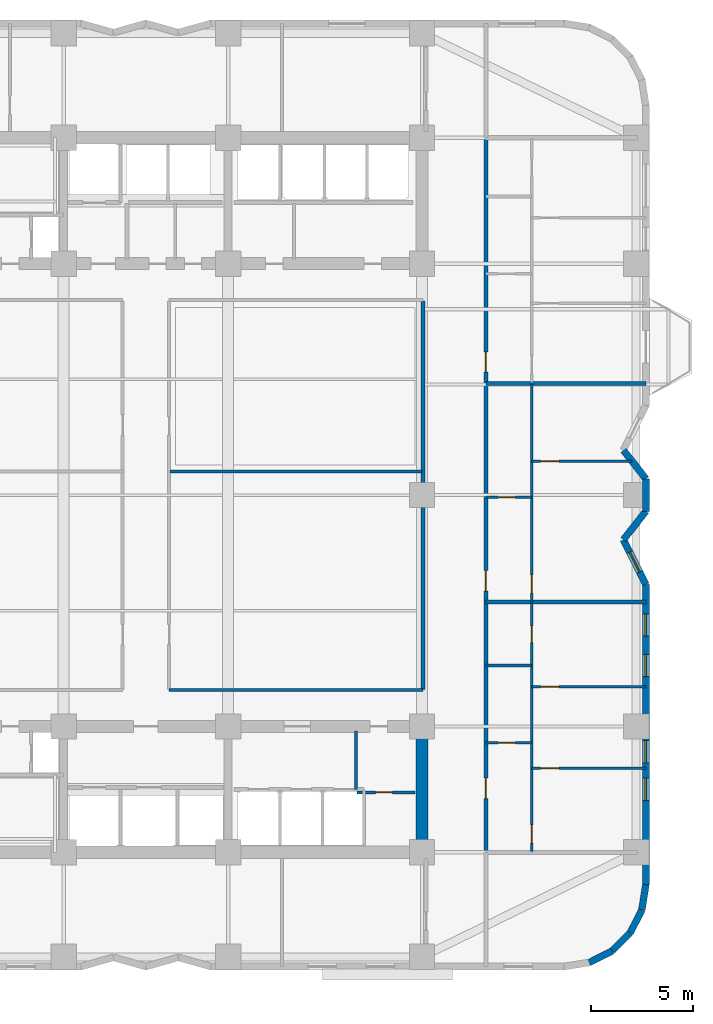
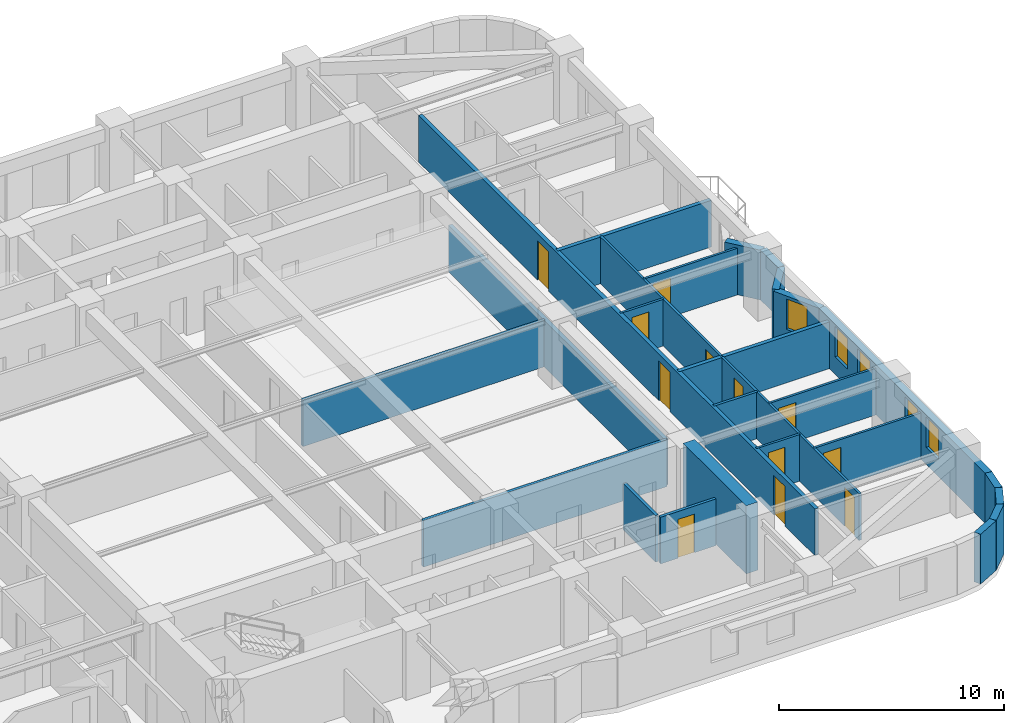
# One storey, part 5 of 10: 26 walls, 12 doors, 5 windows, 17 openings.
"""IFC4 building model written with IfcOpenShell, lengths in metres."""

from ifc_helpers import new_model, si_unit, direction, frame, frame_2d, origin, place, context, subcontext, project, spatial, rectangle, extrude, material, layer, layer_set, type_object, element, fill, save


model = new_model("IFC4")

# Units and contexts
model_context = context("Model", 3, precision=1e-05, world=origin(), true_north=direction((0.0, 1.0)))
body_context = subcontext(model_context, "Body", "Model", "MODEL_VIEW")
ifc_project = project(units=[si_unit("LENGTHUNIT", "METRE"), si_unit("AREAUNIT", "SQUARE_METRE"), si_unit("VOLUMEUNIT", "CUBIC_METRE"), si_unit("PLANEANGLEUNIT", "RADIAN"), si_unit("MASSUNIT", "GRAM", prefix="KILO")], contexts=[model_context])

# Site, building, storey
site_placement = place(None, origin())
site = spatial("IfcSite", under=ifc_project, at=site_placement, CompositionType="ELEMENT")
building_placement = place(site_placement, origin())
building = spatial("IfcBuilding", under=site, at=building_placement, Name="Svetorya Sky Lyceum", CompositionType="ELEMENT")
storey_placement = place(building_placement, frame((0.0, 0.0, 69.5)))
storey = spatial("IfcBuildingStorey", under=building, at=storey_placement, Name="L17", CompositionType="ELEMENT", Elevation=69.5)

# Walls
ifc_material_1 = material(Name="Concrete C60/75", Category="concrete")
ifc_layer_1 = layer(ifc_material_1, 0.60009765625)
ifc_layer_set_1 = layer_set([ifc_layer_1], Name="Concrete C60/75")
wall_type_1 = type_object("IfcWallType", Name="WL-CORE-600", PredefinedType="SHEAR", material=ifc_layer_set_1)
wall_1_placement = place(storey_placement, frame((52.800048828125, 10.89990234375, 0.0), z_axis=(0.0, 0.0, 1.0), x_axis=(0.0, 1.0, 0.0)))
element("IfcWall", 1, at=wall_1_placement, inside=storey, type_object=wall_type_1, Name="L17 SC East Core Shear Wall", PredefinedType="SHEAR", context=body_context, shape_type="SweptSolid", body=[
    extrude(rectangle(XDim=5.60009765625, YDim=0.60009765625, at=frame_2d((2.800048828125, 0.0))), origin(), (0.0, 0.0, 1.0), 3.699951171875),
])
ifc_material_2 = material(Name="Putilovo limestone rainscreen on autoclaved cellular masonry", Category="masonry")
ifc_layer_2 = layer(ifc_material_2, 0.340087890625)
ifc_layer_set_2 = layer_set([ifc_layer_2], Name="Putilovo limestone rainscreen on autoclaved cellular masonry")
wall_type_2 = type_object("IfcWallType", Name="WL-EXT-340", PredefinedType="SOLIDWALL", material=ifc_layer_set_2)
for number, where, z_axis, x_axis, name in (
    (2, (61.04541015625, 5.167236328125, 0.0), (0.0, 0.0, 1.0), (0.890953769915, 0.454094020963, 0.0), "L17 Limestone Exterior Wall 13M"),
    (3, (62.168701171875, 5.73974609375, 0.0), (0.0, 0.0, 1.0), (0.707203598708, 0.707009950407, 0.0), "L17 Limestone Exterior Wall 14M"),
):
    element("IfcWall", number, at=place(storey_placement, frame(where, z_axis=z_axis, x_axis=x_axis)), inside=storey, type_object=wall_type_2, Name=name, PredefinedType="SOLIDWALL", context=body_context, shape_type="SweptSolid", body=[
        extrude(rectangle(XDim=1.2607421875, YDim=0.340087890625, at=frame_2d((0.63037109375, 0.0))), origin(), (0.0, 0.0, 1.0), 2.699951171875),
    ])
for number, where, z_axis, x_axis, name in (
    (4, (63.060302734375, 6.631103515625, 0.0), (0.0, 0.0, 1.0), (0.454015689056, 0.890993689142, 0.0), "L17 Limestone Exterior Wall 15M"),
    (5, (63.6328125, 7.754638671875, 0.0), (0.0, 0.0, 1.0), (0.15644975923, 0.987685918112, 0.0), "L17 Limestone Exterior Wall 16M"),
):
    element("IfcWall", number, at=place(storey_placement, frame(where, z_axis=z_axis, x_axis=x_axis)), inside=storey, type_object=wall_type_2, Name=name, PredefinedType="SOLIDWALL", context=body_context, shape_type="SweptSolid", body=[
        extrude(rectangle(XDim=1.260986328125, YDim=0.340087890625, at=frame_2d((0.63037109375, 0.0))), origin(), (0.0, 0.0, 1.0), 2.699951171875),
    ])

# Wall, openings, windows
wall_2_placement = place(storey_placement, frame((63.830078125, 9.0, 0.0), z_axis=(0.0, 0.0, 1.0), x_axis=(0.0, 1.0, 0.0)))
wall_2 = element("IfcWall", 6, at=wall_2_placement, inside=storey, type_object=wall_type_2, Name="L17 Limestone Exterior Wall 17M", PredefinedType="SOLIDWALL", context=body_context, shape_type="SweptSolid", body=[
    extrude(rectangle(XDim=14.800048828125, YDim=0.340087890625, at=frame_2d((7.39990234375, 0.0))), origin(), (0.0, 0.0, 1.0), 2.699951171875),
])
opening_1_placement = place(wall_2_placement, frame((4.14990234375, 0.0, 0.929931640625)))
opening_1 = element("IfcOpeningElement", 7, at=opening_1_placement, cuts=wall_2, Name="Opening W-R3", PredefinedType="OPENING", context=body_context, shape_type="SweptSolid", body=[
    extrude(rectangle(XDim=1.10009765625, YDim=1.64990234375, at=frame_2d((0.550048828125, 0.824951171875))), frame((0.0, 0.179931640625, 0.0), z_axis=(0.0, -1.0, 0.0), x_axis=(1.0, 0.0, 0.0)), (0.0, 0.0, 1.0), 0.360107421875),
])
opening_2_placement = place(wall_2_placement, frame((6.0, 0.0, 0.889892578125)))
opening_2 = element("IfcOpeningElement", 8, at=opening_2_placement, cuts=wall_2, Name="Opening W-R3", PredefinedType="OPENING", context=body_context, shape_type="SweptSolid", body=[
    extrude(rectangle(XDim=1.10009765625, YDim=1.64990234375, at=frame_2d((0.550048828125, 0.824951171875))), frame((0.0, 0.179931640625, 0.0), z_axis=(0.0, -1.0, 0.0), x_axis=(1.0, 0.0, 0.0)), (0.0, 0.0, 1.0), 0.360107421875),
])
opening_3_placement = place(wall_2_placement, frame((10.25, 0.0, 0.929931640625)))
opening_3 = element("IfcOpeningElement", 9, at=opening_3_placement, cuts=wall_2, Name="Opening W-R3", PredefinedType="OPENING", context=body_context, shape_type="SweptSolid", body=[
    extrude(rectangle(XDim=1.10009765625, YDim=1.64990234375, at=frame_2d((0.550048828125, 0.824951171875))), frame((0.0, 0.179931640625, 0.0), z_axis=(0.0, -1.0, 0.0), x_axis=(1.0, 0.0, 0.0)), (0.0, 0.0, 1.0), 0.360107421875),
])
opening_4_placement = place(wall_2_placement, frame((12.25, 0.0, 0.929931640625)))
opening_4 = element("IfcOpeningElement", 10, at=opening_4_placement, cuts=wall_2, Name="Opening W-R3", PredefinedType="OPENING", context=body_context, shape_type="SweptSolid", body=[
    extrude(rectangle(XDim=1.10009765625, YDim=1.64990234375, at=frame_2d((0.550048828125, 0.824951171875))), frame((0.0, 0.179931640625, 0.0), z_axis=(0.0, -1.0, 0.0), x_axis=(1.0, 0.0, 0.0)), (0.0, 0.0, 1.0), 0.360107421875),
])
ifc_material_3 = material(Name="Thermally broken aluminium frame with triple low-E glazing", Category="aluminium")
window_type = type_object("IfcWindowType", Name="WN-RES-110", PartitioningType="SINGLE_PANEL", PredefinedType="WINDOW", material=ifc_material_3)
window_1_placement = place(opening_1_placement, origin())
window_1 = element("IfcWindow", 11, at=window_1_placement, inside=storey, type_object=window_type, Name="L17 Facade Window W-R3.17M.1", OverallHeight=1.64990234375, OverallWidth=1.10009765625, PartitioningType="SINGLE_PANEL", PredefinedType="WINDOW", context=body_context, shape_type="SweptSolid", body=[
    extrude(rectangle(XDim=1.10009765625, YDim=1.64990234375, at=frame_2d((0.550048828125, 0.824951171875))), frame((0.0, 0.030029296875, 0.0), z_axis=(0.0, -1.0, 0.0), x_axis=(1.0, 0.0, 0.0)), (0.0, 0.0, 1.0), 0.06005859375),
])
fill(opening_1, window_1)
window_2_placement = place(opening_2_placement, origin())
window_2 = element("IfcWindow", 12, at=window_2_placement, inside=storey, type_object=window_type, Name="L17 Facade Window W-R3.17M.4", OverallHeight=1.64990234375, OverallWidth=1.10009765625, PartitioningType="SINGLE_PANEL", PredefinedType="WINDOW", context=body_context, shape_type="SweptSolid", body=[
    extrude(rectangle(XDim=1.10009765625, YDim=1.64990234375, at=frame_2d((0.550048828125, 0.824951171875))), frame((0.0, 0.030029296875, 0.0), z_axis=(0.0, -1.0, 0.0), x_axis=(1.0, 0.0, 0.0)), (0.0, 0.0, 1.0), 0.06005859375),
])
fill(opening_2, window_2)
window_3_placement = place(opening_3_placement, origin())
window_3 = element("IfcWindow", 13, at=window_3_placement, inside=storey, type_object=window_type, Name="L17 Facade Window W-R3.17M.2", OverallHeight=1.64990234375, OverallWidth=1.10009765625, PartitioningType="SINGLE_PANEL", PredefinedType="WINDOW", context=body_context, shape_type="SweptSolid", body=[
    extrude(rectangle(XDim=1.10009765625, YDim=1.64990234375, at=frame_2d((0.550048828125, 0.824951171875))), frame((0.0, 0.030029296875, 0.0), z_axis=(0.0, -1.0, 0.0), x_axis=(1.0, 0.0, 0.0)), (0.0, 0.0, 1.0), 0.06005859375),
])
fill(opening_3, window_3)
window_4_placement = place(opening_4_placement, origin())
window_4 = element("IfcWindow", 14, at=window_4_placement, inside=storey, type_object=window_type, Name="L17 Facade Window W-R3.17M.3", OverallHeight=1.64990234375, OverallWidth=1.10009765625, PartitioningType="SINGLE_PANEL", PredefinedType="WINDOW", context=body_context, shape_type="SweptSolid", body=[
    extrude(rectangle(XDim=1.10009765625, YDim=1.64990234375, at=frame_2d((0.550048828125, 0.824951171875))), frame((0.0, 0.030029296875, 0.0), z_axis=(0.0, -1.0, 0.0), x_axis=(1.0, 0.0, 0.0)), (0.0, 0.0, 1.0), 0.06005859375),
])
fill(opening_4, window_4)

# Wall, opening, window
wall_3_placement = place(storey_placement, frame((63.830078125, 23.800048828125, 0.0), z_axis=(0.0, 0.0, 1.0), x_axis=(-0.447253297971, 0.894407338663, 0.0)))
wall_3 = element("IfcWall", 15, at=wall_3_placement, inside=storey, type_object=wall_type_2, Name="L17 Limestone Exterior Wall 18M", PredefinedType="SOLIDWALL", context=body_context, shape_type="SweptSolid", body=[
    extrude(rectangle(XDim=2.459716796875, YDim=0.340087890625, at=frame_2d((1.22998046875, 0.0))), origin(), (0.0, 0.0, 1.0), 2.699951171875),
])
opening_5_placement = place(wall_3_placement, frame((0.6796875, 0.0, 0.889892578125)))
opening_5 = element("IfcOpeningElement", 16, at=opening_5_placement, cuts=wall_3, Name="Opening W-R3", PredefinedType="OPENING", context=body_context, shape_type="SweptSolid", body=[
    extrude(rectangle(XDim=1.10009765625, YDim=1.64990234375, at=frame_2d((0.550048828125, 0.824951171875))), frame((0.0, 0.179931640625, 0.0), z_axis=(0.0, -1.0, 0.0), x_axis=(1.0, 0.0, 0.0)), (0.0, 0.0, 1.0), 0.360107421875),
])
window_5_placement = place(opening_5_placement, origin())
window_5 = element("IfcWindow", 17, at=window_5_placement, inside=storey, type_object=window_type, Name="L17 Facade Window W-R3.18M.1", OverallHeight=1.64990234375, OverallWidth=1.10009765625, PartitioningType="SINGLE_PANEL", PredefinedType="WINDOW", context=body_context, shape_type="SweptSolid", body=[
    extrude(rectangle(XDim=1.10009765625, YDim=1.64990234375, at=frame_2d((0.550048828125, 0.824951171875))), frame((0.0, 0.030029296875, 0.0), z_axis=(0.0, -1.0, 0.0), x_axis=(1.0, 0.0, 0.0)), (0.0, 0.0, 1.0), 0.06005859375),
])
fill(opening_5, window_5)

# Walls
wall_4_placement = place(storey_placement, frame((62.72998046875, 26.0, 0.0), z_axis=(0.0, 0.0, 1.0), x_axis=(0.617882109729, 0.786270753925, 0.0)))
element("IfcWall", 18, at=wall_4_placement, inside=storey, type_object=wall_type_2, Name="L17 Limestone Exterior Wall 19M", PredefinedType="SOLIDWALL", context=body_context, shape_type="SweptSolid", body=[
    extrude(rectangle(XDim=1.780517578125, YDim=0.340087890625, at=frame_2d((0.89013671875, 0.0))), origin(), (0.0, 0.0, 1.0), 2.699951171875),
])
wall_5_placement = place(storey_placement, frame((63.830078125, 27.39990234375, 0.0), z_axis=(0.0, 0.0, 1.0), x_axis=(0.0, 1.0, 0.0)))
element("IfcWall", 19, at=wall_5_placement, inside=storey, type_object=wall_type_2, Name="L17 Limestone Exterior Wall 20M", PredefinedType="SOLIDWALL", context=body_context, shape_type="SweptSolid", body=[
    extrude(rectangle(XDim=1.60009765625, YDim=0.340087890625, at=frame_2d((0.800048828125, 0.0))), origin(), (0.0, 0.0, 1.0), 2.699951171875),
])
wall_6_placement = place(storey_placement, frame((63.830078125, 29.0, 0.0), z_axis=(0.0, 0.0, 1.0), x_axis=(-0.617882109729, 0.786270753925, 0.0)))
element("IfcWall", 20, at=wall_6_placement, inside=storey, type_object=wall_type_2, Name="L17 Limestone Exterior Wall 21M", PredefinedType="SOLIDWALL", context=body_context, shape_type="SweptSolid", body=[
    extrude(rectangle(XDim=1.780517578125, YDim=0.340087890625, at=frame_2d((0.89013671875, 0.0))), origin(), (0.0, 0.0, 1.0), 2.699951171875),
])

# Wall, opening, door
ifc_material_4 = material(Name="Twin-stud galvanized framing with double fireboard", Category="gypsum")
ifc_layer_3 = layer(ifc_material_4, 0.1201171875)
ifc_layer_set_3 = layer_set([ifc_layer_3], Name="Twin-stud galvanized framing with double fireboard")
wall_type_3 = type_object("IfcWallType", Name="WL-PART-120", PredefinedType="PARTITIONING", material=ifc_layer_set_3)
wall_7_placement = place(storey_placement, frame((55.949951171875, 16.0, 0.0), z_axis=(0.0, 0.0, 1.0), x_axis=(1.0, 0.0, 0.0)))
wall_7 = element("IfcWall", 21, at=wall_7_placement, inside=storey, type_object=wall_type_3, Name="L17 Interior Partition E1-WH1", PredefinedType="PARTITIONING", context=body_context, shape_type="SweptSolid", body=[
    extrude(rectangle(XDim=2.25, YDim=0.1201171875, at=frame_2d((1.125, 0.0))), origin(), (0.0, 0.0, 1.0), 2.530029296875),
])
opening_6_placement = place(wall_7_placement, frame((0.60009765625, 0.0, 0.0)))
opening_6 = element("IfcOpeningElement", 22, at=opening_6_placement, cuts=wall_7, Name="Opening D-BT1", PredefinedType="OPENING", context=body_context, shape_type="SweptSolid", body=[
    extrude(rectangle(XDim=0.85009765625, YDim=2.10009765625, at=frame_2d((0.425048828125, 1.050048828125))), frame((0.0, 0.070068359375, 0.0), z_axis=(0.0, -1.0, 0.0), x_axis=(1.0, 0.0, 0.0)), (0.0, 0.0, 1.0), 0.14013671875),
])
ifc_material_5 = material(Name="Moisture-resistant laminate bathroom door")
door_type_1 = type_object("IfcDoorType", Name="DR-WET-850", OperationType="SINGLE_SWING_LEFT", PredefinedType="DOOR", material=ifc_material_5)
door_1_placement = place(opening_6_placement, origin())
door_1 = element("IfcDoor", 23, at=door_1_placement, inside=storey, type_object=door_type_1, Name="Apartment E1 Bathroom Door", OperationType="SINGLE_SWING_RIGHT", OverallHeight=2.10009765625, OverallWidth=0.85009765625, PredefinedType="DOOR", context=body_context, shape_type="SweptSolid", body=[
    extrude(rectangle(XDim=0.85009765625, YDim=2.10009765625, at=frame_2d((0.425048828125, 1.050048828125))), frame((0.0, 0.02490234375, 0.0), z_axis=(0.0, -1.0, 0.0), x_axis=(1.0, 0.0, 0.0)), (0.0, 0.0, 1.0), 0.050048828125),
])
fill(opening_6, door_1)

wall_8_placement = place(storey_placement, frame((58.199951171875, 14.75, 0.0), z_axis=(0.0, 0.0, 1.0), x_axis=(1.0, 0.0, 0.0)))
wall_8 = element("IfcWall", 24, at=wall_8_placement, inside=storey, type_object=wall_type_3, Name="L17 Interior Partition E1-WL1", PredefinedType="PARTITIONING", context=body_context, shape_type="SweptSolid", body=[
    extrude(rectangle(XDim=5.630126953125, YDim=0.1201171875, at=frame_2d((2.81494140625, 0.0))), origin(), (0.0, 0.0, 1.0), 2.530029296875),
])
opening_7_placement = place(wall_8_placement, frame((0.449951171875, 0.0, 0.0)))
opening_7 = element("IfcOpeningElement", 25, at=opening_7_placement, cuts=wall_8, Name="Opening D-RM1", PredefinedType="OPENING", context=body_context, shape_type="SweptSolid", body=[
    extrude(rectangle(XDim=0.89990234375, YDim=2.10009765625, at=frame_2d((0.449951171875, 1.050048828125))), frame((0.0, 0.070068359375, 0.0), z_axis=(0.0, -1.0, 0.0), x_axis=(1.0, 0.0, 0.0)), (0.0, 0.0, 1.0), 0.14013671875),
])
ifc_material_6 = material(Name="Lacquered birch veneer internal door")
door_type_2 = type_object("IfcDoorType", Name="DR-INT-900", OperationType="SINGLE_SWING_LEFT", PredefinedType="DOOR", material=ifc_material_6)
door_2_placement = place(opening_7_placement, origin())
door_2 = element("IfcDoor", 26, at=door_2_placement, inside=storey, type_object=door_type_2, Name="Apartment E1 Master Bedroom Door", OperationType="SINGLE_SWING_RIGHT", OverallHeight=2.10009765625, OverallWidth=0.89990234375, PredefinedType="DOOR", context=body_context, shape_type="SweptSolid", body=[
    extrude(rectangle(XDim=0.89990234375, YDim=2.10009765625, at=frame_2d((0.449951171875, 1.050048828125))), frame((0.0, 0.02490234375, 0.0), z_axis=(0.0, -1.0, 0.0), x_axis=(1.0, 0.0, 0.0)), (0.0, 0.0, 1.0), 0.050048828125),
])
fill(opening_7, door_2)

wall_9_placement = place(storey_placement, frame((58.199951171875, 18.75, 0.0), z_axis=(0.0, 0.0, 1.0), x_axis=(1.0, 0.0, 0.0)))
wall_9 = element("IfcWall", 27, at=wall_9_placement, inside=storey, type_object=wall_type_3, Name="L17 Interior Partition E1-WL2", PredefinedType="PARTITIONING", context=body_context, shape_type="SweptSolid", body=[
    extrude(rectangle(XDim=5.630126953125, YDim=0.1201171875, at=frame_2d((2.81494140625, 0.0))), origin(), (0.0, 0.0, 1.0), 2.530029296875),
])
opening_8_placement = place(wall_9_placement, frame((0.449951171875, 0.0, 0.0)))
opening_8 = element("IfcOpeningElement", 28, at=opening_8_placement, cuts=wall_9, Name="Opening D-RM1", PredefinedType="OPENING", context=body_context, shape_type="SweptSolid", body=[
    extrude(rectangle(XDim=0.89990234375, YDim=2.10009765625, at=frame_2d((0.449951171875, 1.050048828125))), frame((0.0, 0.070068359375, 0.0), z_axis=(0.0, -1.0, 0.0), x_axis=(1.0, 0.0, 0.0)), (0.0, 0.0, 1.0), 0.14013671875),
])
door_3_placement = place(opening_8_placement, origin())
door_3 = element("IfcDoor", 29, at=door_3_placement, inside=storey, type_object=door_type_2, Name="Apartment E1 Bedroom 2 Door", OperationType="SINGLE_SWING_LEFT", OverallHeight=2.10009765625, OverallWidth=0.89990234375, PredefinedType="DOOR", context=body_context, shape_type="SweptSolid", body=[
    extrude(rectangle(XDim=0.89990234375, YDim=2.10009765625, at=frame_2d((0.449951171875, 1.050048828125))), frame((0.0, 0.02490234375, 0.0), z_axis=(0.0, -1.0, 0.0), x_axis=(1.0, 0.0, 0.0)), (0.0, 0.0, 1.0), 0.050048828125),
])
fill(opening_8, door_3)

# Wall, openings, doors
wall_10_placement = place(storey_placement, frame((58.199951171875, 10.639892578125, 0.0), z_axis=(0.0, 0.0, 1.0), x_axis=(0.0, 1.0, 0.0)))
wall_10 = element("IfcWall", 30, at=wall_10_placement, inside=storey, type_object=wall_type_3, Name="L17 Interior Partition E1-WV", PredefinedType="PARTITIONING", context=body_context, shape_type="SweptSolid", body=[
    extrude(rectangle(XDim=12.239990234375, YDim=0.1201171875, at=frame_2d((6.1201171875, 0.0))), origin(), (0.0, 0.0, 1.0), 2.530029296875),
])
opening_9_placement = place(wall_10_placement, frame((0.409912109375, 0.0, 0.0)))
opening_9 = element("IfcOpeningElement", 31, at=opening_9_placement, cuts=wall_10, Name="Opening D-RM1", PredefinedType="OPENING", context=body_context, shape_type="SweptSolid", body=[
    extrude(rectangle(XDim=0.89990234375, YDim=2.10009765625, at=frame_2d((0.449951171875, 1.050048828125))), frame((0.0, 0.070068359375, 0.0), z_axis=(0.0, -1.0, 0.0), x_axis=(1.0, 0.0, 0.0)), (0.0, 0.0, 1.0), 0.14013671875),
])
opening_10_placement = place(wall_10_placement, frame((10.294921875, 0.0, 0.0)))
opening_10 = element("IfcOpeningElement", 32, at=opening_10_placement, cuts=wall_10, Name="Opening D-BT2", PredefinedType="OPENING", context=body_context, shape_type="SweptSolid", body=[
    extrude(rectangle(XDim=0.820068359375, YDim=2.080078125, at=frame_2d((0.41015625, 1.0400390625))), frame((0.0, 0.070068359375, 0.0), z_axis=(0.0, -1.0, 0.0), x_axis=(1.0, 0.0, 0.0)), (0.0, 0.0, 1.0), 0.14013671875),
])
door_4_placement = place(opening_9_placement, origin())
door_4 = element("IfcDoor", 33, at=door_4_placement, inside=storey, type_object=door_type_2, Name="Apartment E1 Living Door", OperationType="SINGLE_SWING_LEFT", OverallHeight=2.10009765625, OverallWidth=0.89990234375, PredefinedType="DOOR", context=body_context, shape_type="SweptSolid", body=[
    extrude(rectangle(XDim=0.89990234375, YDim=2.10009765625, at=frame_2d((0.449951171875, 1.050048828125))), frame((0.0, 0.02490234375, 0.0), z_axis=(0.0, -1.0, 0.0), x_axis=(1.0, 0.0, 0.0)), (0.0, 0.0, 1.0), 0.050048828125),
])
fill(opening_9, door_4)
ifc_material_7 = material(Name="Compact moisture-resistant laminate closet door")
door_type_3 = type_object("IfcDoorType", Name="DR-WET-820", OperationType="SINGLE_SWING_LEFT", PredefinedType="DOOR", material=ifc_material_7)
door_5_placement = place(opening_10_placement, origin())
door_5 = element("IfcDoor", 34, at=door_5_placement, inside=storey, type_object=door_type_3, Name="Apartment E1 Study Door", OperationType="SINGLE_SWING_RIGHT", OverallHeight=2.080078125, OverallWidth=0.820068359375, PredefinedType="DOOR", context=body_context, shape_type="SweptSolid", body=[
    extrude(rectangle(XDim=0.820068359375, YDim=2.080078125, at=frame_2d((0.41015625, 1.0400390625))), frame((0.0, 0.02490234375, 0.0), z_axis=(0.0, -1.0, 0.0), x_axis=(1.0, 0.0, 0.0)), (0.0, 0.0, 1.0), 0.050048828125),
])
fill(opening_10, door_5)

# Wall, opening, door
wall_11_placement = place(storey_placement, frame((55.949951171875, 28.090087890625, 0.0), z_axis=(0.0, 0.0, 1.0), x_axis=(1.0, 0.0, 0.0)))
wall_11 = element("IfcWall", 35, at=wall_11_placement, inside=storey, type_object=wall_type_3, Name="L17 Interior Partition E2-WH1", PredefinedType="PARTITIONING", context=body_context, shape_type="SweptSolid", body=[
    extrude(rectangle(XDim=2.25, YDim=0.1201171875, at=frame_2d((1.125, 0.0))), origin(), (0.0, 0.0, 1.0), 2.530029296875),
])
opening_11_placement = place(wall_11_placement, frame((0.60009765625, 0.0, 0.0)))
opening_11 = element("IfcOpeningElement", 36, at=opening_11_placement, cuts=wall_11, Name="Opening D-BT1", PredefinedType="OPENING", context=body_context, shape_type="SweptSolid", body=[
    extrude(rectangle(XDim=0.85009765625, YDim=2.10009765625, at=frame_2d((0.425048828125, 1.050048828125))), frame((0.0, 0.070068359375, 0.0), z_axis=(0.0, -1.0, 0.0), x_axis=(1.0, 0.0, 0.0)), (0.0, 0.0, 1.0), 0.14013671875),
])
door_6_placement = place(opening_11_placement, origin())
door_6 = element("IfcDoor", 37, at=door_6_placement, inside=storey, type_object=door_type_1, Name="Apartment E2 Bathroom Door", OperationType="SINGLE_SWING_LEFT", OverallHeight=2.10009765625, OverallWidth=0.85009765625, PredefinedType="DOOR", context=body_context, shape_type="SweptSolid", body=[
    extrude(rectangle(XDim=0.85009765625, YDim=2.10009765625, at=frame_2d((0.425048828125, 1.050048828125))), frame((0.0, 0.02490234375, 0.0), z_axis=(0.0, -1.0, 0.0), x_axis=(1.0, 0.0, 0.0)), (0.0, 0.0, 1.0), 0.050048828125),
])
fill(opening_11, door_6)

wall_12_placement = place(storey_placement, frame((58.199951171875, 29.8701171875, 0.0), z_axis=(0.0, 0.0, 1.0), x_axis=(1.0, 0.0, 0.0)))
wall_12 = element("IfcWall", 38, at=wall_12_placement, inside=storey, type_object=wall_type_3, Name="L17 Interior Partition E2-WL1", PredefinedType="PARTITIONING", context=body_context, shape_type="SweptSolid", body=[
    extrude(rectangle(XDim=4.946533203125, YDim=0.1201171875, at=frame_2d((2.47314453125, 0.0))), origin(), (0.0, 0.0, 1.0), 2.530029296875),
])
opening_12_placement = place(wall_12_placement, frame((0.449951171875, 0.0, 0.0)))
opening_12 = element("IfcOpeningElement", 39, at=opening_12_placement, cuts=wall_12, Name="Opening D-RM1", PredefinedType="OPENING", context=body_context, shape_type="SweptSolid", body=[
    extrude(rectangle(XDim=0.89990234375, YDim=2.10009765625, at=frame_2d((0.449951171875, 1.050048828125))), frame((0.0, 0.070068359375, 0.0), z_axis=(0.0, -1.0, 0.0), x_axis=(1.0, 0.0, 0.0)), (0.0, 0.0, 1.0), 0.14013671875),
])
door_7_placement = place(opening_12_placement, origin())
door_7 = element("IfcDoor", 40, at=door_7_placement, inside=storey, type_object=door_type_2, Name="Apartment E2 Bedroom 1 Door", OperationType="SINGLE_SWING_LEFT", OverallHeight=2.10009765625, OverallWidth=0.89990234375, PredefinedType="DOOR", context=body_context, shape_type="SweptSolid", body=[
    extrude(rectangle(XDim=0.89990234375, YDim=2.10009765625, at=frame_2d((0.449951171875, 1.050048828125))), frame((0.0, 0.02490234375, 0.0), z_axis=(0.0, -1.0, 0.0), x_axis=(1.0, 0.0, 0.0)), (0.0, 0.0, 1.0), 0.050048828125),
])
fill(opening_12, door_7)

wall_13_placement = place(storey_placement, frame((58.199951171875, 22.9599609375, 0.0), z_axis=(0.0, 0.0, 1.0), x_axis=(0.0, 1.0, 0.0)))
wall_13 = element("IfcWall", 41, at=wall_13_placement, inside=storey, type_object=wall_type_3, Name="L17 Interior Partition E2-WV", PredefinedType="PARTITIONING", context=body_context, shape_type="SweptSolid", body=[
    extrude(rectangle(XDim=10.699951171875, YDim=0.1201171875, at=frame_2d((5.35009765625, 0.0))), origin(), (0.0, 0.0, 1.0), 2.530029296875),
])
opening_13_placement = place(wall_13_placement, frame((0.409912109375, 0.0, 0.0)))
opening_13 = element("IfcOpeningElement", 42, at=opening_13_placement, cuts=wall_13, Name="Opening D-RM1", PredefinedType="OPENING", context=body_context, shape_type="SweptSolid", body=[
    extrude(rectangle(XDim=0.89990234375, YDim=2.10009765625, at=frame_2d((0.449951171875, 1.050048828125))), frame((0.0, 0.070068359375, 0.0), z_axis=(0.0, -1.0, 0.0), x_axis=(1.0, 0.0, 0.0)), (0.0, 0.0, 1.0), 0.14013671875),
])
door_8_placement = place(opening_13_placement, origin())
door_8 = element("IfcDoor", 43, at=door_8_placement, inside=storey, type_object=door_type_2, Name="Apartment E2 Living Door", OperationType="SINGLE_SWING_RIGHT", OverallHeight=2.10009765625, OverallWidth=0.89990234375, PredefinedType="DOOR", context=body_context, shape_type="SweptSolid", body=[
    extrude(rectangle(XDim=0.89990234375, YDim=2.10009765625, at=frame_2d((0.449951171875, 1.050048828125))), frame((0.0, 0.02490234375, 0.0), z_axis=(0.0, -1.0, 0.0), x_axis=(1.0, 0.0, 0.0)), (0.0, 0.0, 1.0), 0.050048828125),
])
fill(opening_13, door_8)

# Walls
ifc_material_8 = material(Name="Twin-stud galvanized framing with acoustic board", Category="gypsum")
ifc_layer_4 = layer(ifc_material_8, 0.135009765625)
ifc_layer_set_4 = layer_set([ifc_layer_4], Name="Twin-stud galvanized framing with acoustic board")
wall_type_4 = type_object("IfcWallType", Name="WL-PART-135", PredefinedType="PARTITIONING", material=ifc_layer_set_4)
wall_14_placement = place(storey_placement, frame((55.949951171875, 19.800048828125, 0.0), z_axis=(0.0, 0.0, 1.0), x_axis=(1.0, 0.0, 0.0)))
element("IfcWall", 44, at=wall_14_placement, inside=storey, type_object=wall_type_4, Name="L17 Interior Partition E1-WH2", PredefinedType="PARTITIONING", context=body_context, shape_type="SweptSolid", body=[
    extrude(rectangle(XDim=2.25, YDim=0.135009765625, at=frame_2d((1.125, 0.0))), origin(), (0.0, 0.0, 1.0), 2.530029296875),
])
ifc_material_9 = material(Name="Autoclaved cellular masonry blockwork with acoustic render", Category="masonry")
ifc_layer_5 = layer(ifc_material_9, 0.14990234375)
ifc_layer_set_5 = layer_set([ifc_layer_5], Name="Autoclaved cellular masonry blockwork with acoustic render")
wall_type_5 = type_object("IfcWallType", Name="WL-PART-150", PredefinedType="PARTITIONING", material=ifc_layer_set_5)
wall_15_placement = place(storey_placement, frame((49.550048828125, 13.699951171875, 0.0), z_axis=(0.0, 0.0, 1.0), x_axis=(0.0, 1.0, 0.0)))
element("IfcWall", 45, at=wall_15_placement, inside=storey, type_object=wall_type_5, Name="L17 Interior Partition SC-AUX-V", PredefinedType="PARTITIONING", context=body_context, shape_type="SweptSolid", body=[
    extrude(rectangle(XDim=2.880126953125, YDim=0.14990234375, at=frame_2d((1.43994140625, 0.0))), origin(), (0.0, 0.0, 1.0), 2.530029296875),
])

# Wall, opening, door
wall_16_placement = place(storey_placement, frame((49.60009765625, 13.550048828125, 0.0), z_axis=(0.0, 0.0, 1.0), x_axis=(1.0, 0.0, 0.0)))
wall_16 = element("IfcWall", 46, at=wall_16_placement, inside=storey, type_object=wall_type_5, Name="L17 Interior Partition SC-AUX-H", PredefinedType="PARTITIONING", context=body_context, shape_type="SweptSolid", body=[
    extrude(rectangle(XDim=2.849853515625, YDim=0.14990234375, at=frame_2d((1.4248046875, 0.0))), origin(), (0.0, 0.0, 1.0), 2.530029296875),
])
opening_14_placement = place(wall_16_placement, frame((0.89990234375, 0.0, 0.0)))
opening_14 = element("IfcOpeningElement", 47, at=opening_14_placement, cuts=wall_16, Name="Opening D-CWC1", PredefinedType="OPENING", context=body_context, shape_type="SweptSolid", body=[
    extrude(rectangle(XDim=0.85009765625, YDim=2.10009765625, at=frame_2d((0.425048828125, 1.050048828125))), frame((0.0, 0.0849609375, 0.0), z_axis=(0.0, -1.0, 0.0), x_axis=(1.0, 0.0, 0.0)), (0.0, 0.0, 1.0), 0.169921875),
])
ifc_material_10 = material(Name="Fire-rated galvanized steel core service closet door", Category="steel")
door_type_4 = type_object("IfcDoorType", Name="DR-CWET-850", OperationType="SINGLE_SWING_LEFT", PredefinedType="DOOR", material=ifc_material_10)
door_9_placement = place(opening_14_placement, origin())
door_9 = element("IfcDoor", 48, at=door_9_placement, inside=storey, type_object=door_type_4, Name="L17 South Electrical Closet Door", OperationType="SINGLE_SWING_LEFT", OverallHeight=2.10009765625, OverallWidth=0.85009765625, PredefinedType="DOOR", context=body_context, shape_type="SweptSolid", body=[
    extrude(rectangle(XDim=0.85009765625, YDim=2.10009765625, at=frame_2d((0.425048828125, 1.050048828125))), frame((0.0, 0.02490234375, 0.0), z_axis=(0.0, -1.0, 0.0), x_axis=(1.0, 0.0, 0.0)), (0.0, 0.0, 1.0), 0.050048828125),
])
fill(opening_14, door_9)

# Walls
wall_17_placement = place(storey_placement, frame((40.35009765625, 18.60009765625, 0.0), z_axis=(0.0, 0.0, 1.0), x_axis=(1.0, 0.0, 0.0)))
element("IfcWall", 49, at=wall_17_placement, inside=storey, type_object=wall_type_5, Name="L17 Interior Partition CS-MID-E", PredefinedType="PARTITIONING", context=body_context, shape_type="SweptSolid", body=[
    extrude(rectangle(XDim=12.5, YDim=0.14990234375, at=frame_2d((6.25, 0.0))), origin(), (0.0, 0.0, 1.0), 2.530029296875),
])
wall_18_placement = place(storey_placement, frame((40.3798828125, 29.348388671875, 0.0), z_axis=(0.0, 0.0, 1.0), x_axis=(1.0, 0.0, 0.0)))
element("IfcWall", 50, at=wall_18_placement, inside=storey, type_object=wall_type_5, Name="L17 Interior Partition CEN-HE", PredefinedType="PARTITIONING", context=body_context, shape_type="SweptSolid", body=[
    extrude(rectangle(XDim=12.420166015625, YDim=0.14990234375, at=frame_2d((6.2099609375, 0.0))), origin(), (0.0, 0.0, 1.0), 2.530029296875),
])
ifc_material_11 = material(Name="Autoclaved cellular masonry blockwork with gypsum plaster", Category="masonry")
ifc_layer_6 = layer(ifc_material_11, 0.199951171875)
ifc_layer_set_6 = layer_set([ifc_layer_6], Name="Autoclaved cellular masonry blockwork with gypsum plaster")
wall_type_6 = type_object("IfcWallType", Name="WL-PART-200", PredefinedType="PARTITIONING", material=ifc_layer_set_6)
wall_19_placement = place(storey_placement, frame((52.85009765625, 18.6298828125, 0.0), z_axis=(0.0, 0.0, 1.0), x_axis=(0.0, 1.0, 0.0)))
element("IfcWall", 51, at=wall_19_placement, inside=storey, type_object=wall_type_6, Name="L17 Interior Partition E-CEN-SEP", PredefinedType="PARTITIONING", context=body_context, shape_type="SweptSolid", body=[
    extrude(rectangle(XDim=19.14013671875, YDim=0.199951171875, at=frame_2d((9.570068359375, 0.0))), origin(), (0.0, 0.0, 1.0), 2.530029296875),
])
for number, where, z_axis, x_axis, name in (
    (52, (55.949951171875, 22.919921875, 0.0), (0.0, 0.0, 1.0), (1.0, 0.0, 0.0), "L17 Interior Partition E-PARTY-1"),
    (53, (55.949951171875, 33.699951171875, 0.0), (0.0, 0.0, 1.0), (1.0, 0.0, 0.0), "L17 Interior Partition E-PARTY-2"),
):
    element("IfcWall", number, at=place(storey_placement, frame(where, z_axis=z_axis, x_axis=x_axis)), inside=storey, type_object=wall_type_6, Name=name, PredefinedType="PARTITIONING", context=body_context, shape_type="SweptSolid", body=[
        extrude(rectangle(XDim=7.880126953125, YDim=0.199951171875, at=frame_2d((3.93994140625, 0.0))), origin(), (0.0, 0.0, 1.0), 2.530029296875),
    ])

# Wall, openings, doors
wall_20_placement = place(storey_placement, frame((55.949951171875, 10.60009765625, 0.0), z_axis=(0.0, 0.0, 1.0), x_axis=(0.0, 1.0, 0.0)))
wall_20 = element("IfcWall", 54, at=wall_20_placement, inside=storey, type_object=wall_type_6, Name="L17 Interior Partition E-CORRW", PredefinedType="PARTITIONING", context=body_context, shape_type="SweptSolid", body=[
    extrude(rectangle(XDim=35.199951171875, YDim=0.199951171875, at=frame_2d((17.60009765625, 0.0))), origin(), (0.0, 0.0, 1.0), 2.530029296875),
])
opening_15_placement = place(wall_20_placement, frame((2.64990234375, 0.0, 0.0)))
opening_15 = element("IfcOpeningElement", 55, at=opening_15_placement, cuts=wall_20, Name="Opening D-APT1", PredefinedType="OPENING", context=body_context, shape_type="SweptSolid", body=[
    extrude(rectangle(XDim=1.0, YDim=2.14990234375, at=frame_2d((0.5, 1.074951171875))), frame((0.0, 0.10986328125, 0.0), z_axis=(0.0, -1.0, 0.0), x_axis=(1.0, 0.0, 0.0)), (0.0, 0.0, 1.0), 0.219970703125),
])
opening_16_placement = place(wall_20_placement, frame((12.8701171875, 0.0, 0.0)))
opening_16 = element("IfcOpeningElement", 56, at=opening_16_placement, cuts=wall_20, Name="Opening D-APT1", PredefinedType="OPENING", context=body_context, shape_type="SweptSolid", body=[
    extrude(rectangle(XDim=1.0, YDim=2.14990234375, at=frame_2d((0.5, 1.074951171875))), frame((0.0, 0.10986328125, 0.0), z_axis=(0.0, -1.0, 0.0), x_axis=(1.0, 0.0, 0.0)), (0.0, 0.0, 1.0), 0.219970703125),
])
opening_17_placement = place(wall_20_placement, frame((23.64990234375, 0.0, 0.0)))
opening_17 = element("IfcOpeningElement", 57, at=opening_17_placement, cuts=wall_20, Name="Opening D-APT1", PredefinedType="OPENING", context=body_context, shape_type="SweptSolid", body=[
    extrude(rectangle(XDim=1.0, YDim=2.14990234375, at=frame_2d((0.5, 1.074951171875))), frame((0.0, 0.10986328125, 0.0), z_axis=(0.0, -1.0, 0.0), x_axis=(1.0, 0.0, 0.0)), (0.0, 0.0, 1.0), 0.219970703125),
])
ifc_material_12 = material(Name="Insulated oak-veneered apartment entrance door")
door_type_5 = type_object("IfcDoorType", Name="DR-APT-1000", OperationType="SINGLE_SWING_LEFT", PredefinedType="DOOR", material=ifc_material_12)
door_10_placement = place(opening_15_placement, origin())
door_10 = element("IfcDoor", 58, at=door_10_placement, inside=storey, type_object=door_type_5, Name="L17 Apartment E1 Entrance Door", OperationType="SINGLE_SWING_RIGHT", OverallHeight=2.14990234375, OverallWidth=1.0, PredefinedType="DOOR", context=body_context, shape_type="SweptSolid", body=[
    extrude(rectangle(XDim=1.0, YDim=2.14990234375, at=frame_2d((0.5, 1.074951171875))), frame((0.0, 0.02490234375, 0.0), z_axis=(0.0, -1.0, 0.0), x_axis=(1.0, 0.0, 0.0)), (0.0, 0.0, 1.0), 0.050048828125),
])
fill(opening_15, door_10)
door_11_placement = place(opening_16_placement, origin())
door_11 = element("IfcDoor", 59, at=door_11_placement, inside=storey, type_object=door_type_5, Name="L17 Apartment E2 Entrance Door", OperationType="SINGLE_SWING_LEFT", OverallHeight=2.14990234375, OverallWidth=1.0, PredefinedType="DOOR", context=body_context, shape_type="SweptSolid", body=[
    extrude(rectangle(XDim=1.0, YDim=2.14990234375, at=frame_2d((0.5, 1.074951171875))), frame((0.0, 0.02490234375, 0.0), z_axis=(0.0, -1.0, 0.0), x_axis=(1.0, 0.0, 0.0)), (0.0, 0.0, 1.0), 0.050048828125),
])
fill(opening_16, door_11)
door_12_placement = place(opening_17_placement, origin())
door_12 = element("IfcDoor", 60, at=door_12_placement, inside=storey, type_object=door_type_5, Name="L17 Apartment E3 Entrance Door", OperationType="SINGLE_SWING_RIGHT", OverallHeight=2.14990234375, OverallWidth=1.0, PredefinedType="DOOR", context=body_context, shape_type="SweptSolid", body=[
    extrude(rectangle(XDim=1.0, YDim=2.14990234375, at=frame_2d((0.5, 1.074951171875))), frame((0.0, 0.02490234375, 0.0), z_axis=(0.0, -1.0, 0.0), x_axis=(1.0, 0.0, 0.0)), (0.0, 0.0, 1.0), 0.050048828125),
])
fill(opening_17, door_12)

save(model, "model.ifc")
